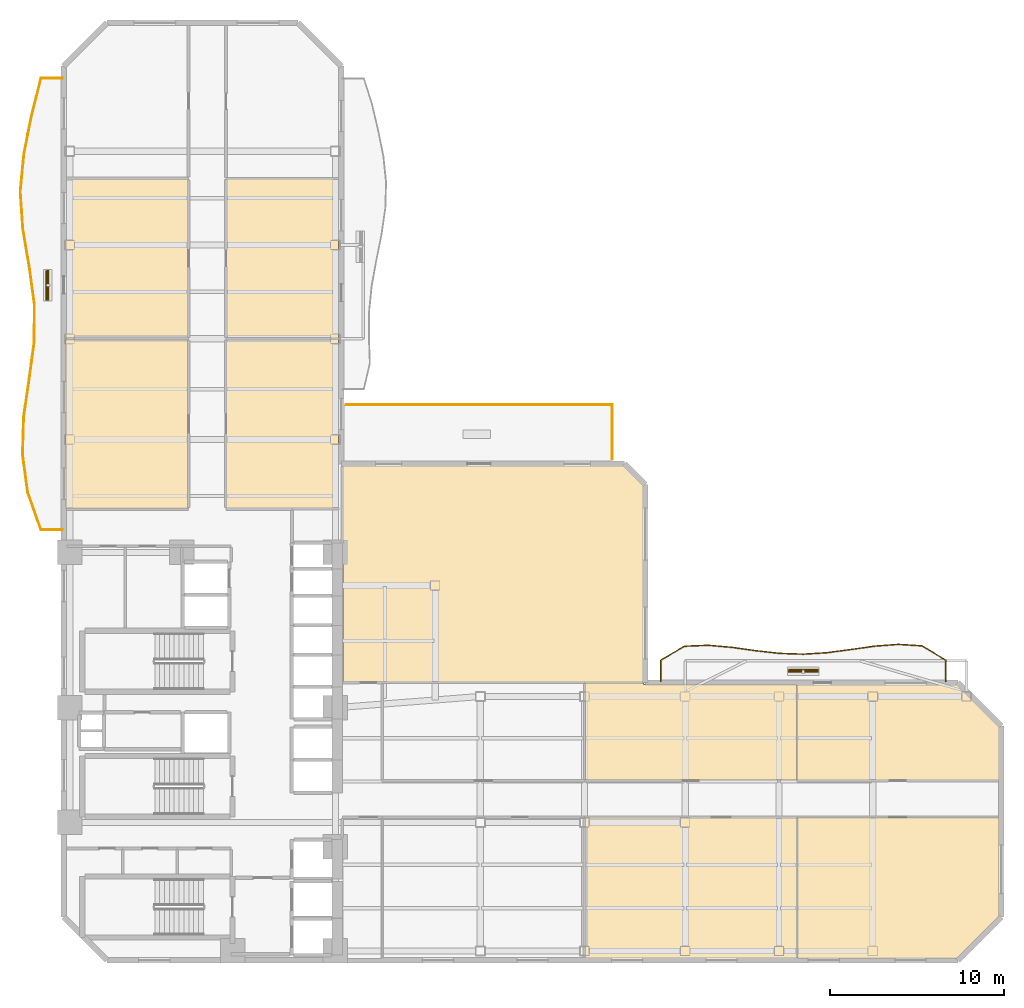
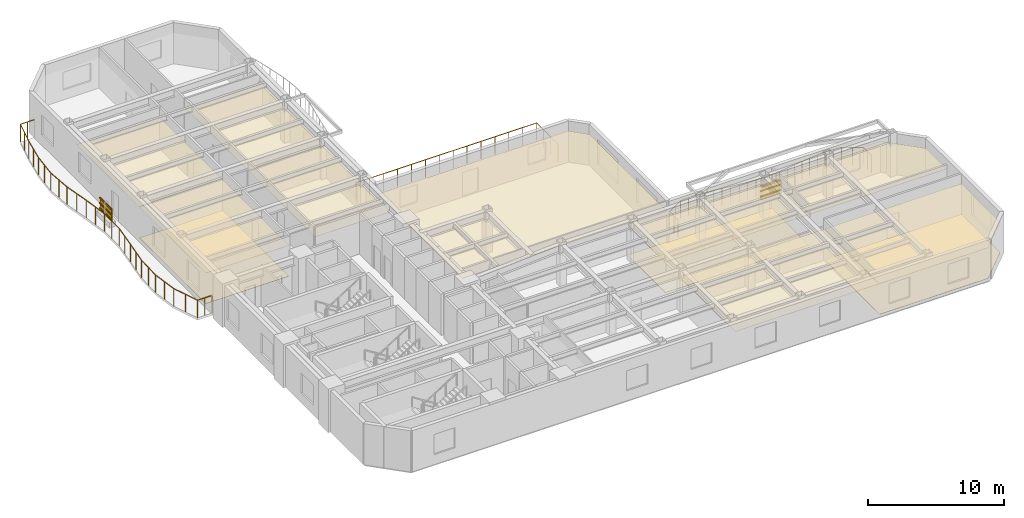
# One storey, part 9 of 10: 12 coverings, 8 shading devices, 4 railings.
"""IFC4 building model written with IfcOpenShell, lengths in metres."""

import ifcopenshell
import ifcopenshell.guid

model = None  # the IFC model being written
_history = None  # IfcOwnerHistory: only IFC2X3 demands one
_inside = {}  # id of a spatial element -> (the spatial element, [elements in it])
_under = {}  # id of a project, library or spatial element -> (it, [spatial elements below it])
_declared = {}  # id of a project -> (the project, [libraries it declares])
_typed = {}  # id of a type object -> (the type object, [elements of that type])
_made_of = {}  # id of a material, layer set ... -> (it, [elements and type objects made of it])


def new_model(schema):
    """Start an empty IFC model of exactly this schema.

    Asked for "IFC4X3", IfcOpenShell would pick the latest addendum, in which some entities
    have other attributes; the version numbers below select the first issue.
    IFC2X3 requires an IfcOwnerHistory on every rooted entity: one is made here for all.
    """
    global model, _history
    if schema == "IFC4X3":
        model = ifcopenshell.file(schema_version=(4, 3, 0, 0))
    else:
        model = ifcopenshell.file(schema=schema)
    _inside.clear()
    _under.clear()
    _declared.clear()
    _typed.clear()
    _made_of.clear()
    _history = None
    if model.schema == "IFC2X3":
        org = make("IfcOrganization", Name="unknown")
        user = make(
            "IfcPersonAndOrganization",
            ThePerson=make("IfcPerson", FamilyName="unknown"),
            TheOrganization=org,
        )
        app = make(
            "IfcApplication",
            ApplicationDeveloper=org,
            Version="unknown",
            ApplicationFullName="unknown",
            ApplicationIdentifier="unknown",
        )
        _history = make(
            "IfcOwnerHistory",
            OwningUser=user,
            OwningApplication=app,
            ChangeAction="ADDED",
            CreationDate=0,
        )
    return model


def make(cls, **values):
    """One entity of the class cls with the attributes given. An attribute that is None is left unset."""
    return model.create_entity(
        cls, **{name: value for name, value in values.items() if value is not None}
    )


def rooted(cls, **values):
    """An entity with a GlobalId (a new one), such as an element, a storey or a relation."""
    return make(cls, GlobalId=ifcopenshell.guid.new(), OwnerHistory=_history, **values)


def si_unit(unit_type, name, prefix=None):
    """IfcSIUnit, for example si_unit("LENGTHUNIT", "METRE", prefix="MILLI")."""
    return make("IfcSIUnit", UnitType=unit_type, Prefix=prefix, Name=name)


def assignment(units):
    """IfcUnitAssignment: the units of a project."""
    return None if units is None else make("IfcUnitAssignment", Units=units)


def point(xyz):
    """IfcCartesianPoint."""
    return None if xyz is None else make("IfcCartesianPoint", Coordinates=xyz)


def direction(xyz):
    """IfcDirection."""
    return None if xyz is None else make("IfcDirection", DirectionRatios=xyz)


def frame(location, z_axis=None, x_axis=None):
    """IfcAxis2Placement3D, a coordinate frame: its origin and axes. An axis left out is left unset."""
    return make(
        "IfcAxis2Placement3D",
        Location=point(location),
        Axis=direction(z_axis),
        RefDirection=direction(x_axis),
    )


def frame_2d(location, x_axis=None):
    """IfcAxis2Placement2D, a coordinate frame in the plane: its origin and x axis."""
    return make(
        "IfcAxis2Placement2D", Location=point(location), RefDirection=direction(x_axis)
    )


def origin():
    """The frame at (0, 0, 0) with its axes left unset."""
    return frame((0.0, 0.0, 0.0))


def origin_2d():
    """The frame at (0, 0) in the plane with its x axis left unset."""
    return frame_2d((0.0, 0.0))


def place(relative_to, where):
    """IfcLocalPlacement: puts the frame where relative to a parent placement (None: the world)."""
    return make(
        "IfcLocalPlacement", PlacementRelTo=relative_to, RelativePlacement=where
    )


def context(
    kind, dimensions, precision=None, world=None, true_north=None, identifier=None
):
    """IfcGeometricRepresentationContext, for example the 3D "Model" context."""
    return make(
        "IfcGeometricRepresentationContext",
        ContextIdentifier=identifier,
        ContextType=kind,
        CoordinateSpaceDimension=dimensions,
        Precision=precision,
        WorldCoordinateSystem=world,
        TrueNorth=true_north,
    )


def subcontext(parent, identifier, kind, view, scale=None):
    """IfcGeometricRepresentationSubContext, for example "Body" below "Model"."""
    return make(
        "IfcGeometricRepresentationSubContext",
        ContextIdentifier=identifier,
        ContextType=kind,
        ParentContext=parent,
        TargetScale=scale,
        TargetView=view,
    )


def project(units=None, contexts=None):
    """IfcProject with its units and contexts."""
    return rooted(
        "IfcProject",
        Name="project",
        RepresentationContexts=contexts,
        UnitsInContext=assignment(units),
    )


def spatial(cls, under=None, at=None, **own):
    """A site, building, storey or space (cls), placed at a placement, below another one or the project."""
    s = rooted(cls, ObjectPlacement=at, **own)
    if under is not None:
        _under.setdefault(under.id(), (under, []))[1].append(s)
    return s


def polyline(points):
    """IfcPolyline through the points."""
    return make("IfcPolyline", Points=[point(p) for p in points])


def profile(cls, at=None, kind="AREA", **sizes):
    """A parametric profile (cls). Its sizes go by their IFC names, for example OverallWidth=200.0."""
    return make(cls, ProfileType=kind, Position=at, **sizes)


def rectangle(**sizes):
    """IfcRectangleProfileDef."""
    return profile("IfcRectangleProfileDef", **sizes)


def outline(outer, holes=None, kind="AREA"):
    """IfcArbitraryClosedProfileDef: a profile drawn as a closed curve; with holes, ...WithVoids."""
    if holes is None:
        return make("IfcArbitraryClosedProfileDef", ProfileType=kind, OuterCurve=outer)
    return make(
        "IfcArbitraryProfileDefWithVoids",
        ProfileType=kind,
        OuterCurve=outer,
        InnerCurves=holes,
    )


def extrude(swept, where, along, depth):
    """IfcExtrudedAreaSolid: the profile swept, set in the frame where, extruded along a direction by depth."""
    return make(
        "IfcExtrudedAreaSolid",
        SweptArea=swept,
        Position=where,
        ExtrudedDirection=direction(along),
        Depth=depth,
    )


def shape(context_of_items, identifier, shape_type, items):
    """IfcShapeRepresentation: the items that make up one representation, for example the "Body"."""
    return make(
        "IfcShapeRepresentation",
        ContextOfItems=context_of_items,
        RepresentationIdentifier=identifier,
        RepresentationType=shape_type,
        Items=items,
    )


def material(Name=None, Category=None):
    """IfcMaterial."""
    return make("IfcMaterial", Name=Name, Category=Category)


def layer(
    of_material, thickness, ventilated=None, Name=None, Category=None, Priority=None
):
    """IfcMaterialLayer: one layer of a wall or slab, of a material (None: an air gap)."""
    return make(
        "IfcMaterialLayer",
        Material=of_material,
        LayerThickness=thickness,
        IsVentilated=ventilated,
        Name=Name,
        Category=Category,
        Priority=Priority,
    )


def layer_set(layers, Name=None):
    """IfcMaterialLayerSet."""
    return make("IfcMaterialLayerSet", MaterialLayers=layers, LayerSetName=Name)


def material_profile(
    of_material, cross_section, Name=None, Category=None, Priority=None
):
    """IfcMaterialProfile: a cross section and its material."""
    return make(
        "IfcMaterialProfile",
        Name=Name,
        Material=of_material,
        Profile=cross_section,
        Priority=Priority,
        Category=Category,
    )


def profile_set(profiles, Name=None, composite=None):
    """IfcMaterialProfileSet."""
    return make(
        "IfcMaterialProfileSet",
        Name=Name,
        MaterialProfiles=profiles,
        CompositeProfile=composite,
    )


def made_of(thing, what):
    """Note that an element or type object is made of a material, layer set ...; save() writes the relation."""
    if what is not None:
        _made_of.setdefault(what.id(), (what, []))[1].append(thing)
    return thing


def type_object(cls, material=None, **own):
    """A type object (cls), such as IfcWallType, which elements share."""
    return made_of(rooted(cls, **own), material)


def element(
    cls,
    number,
    at=None,
    inside=None,
    cuts=None,
    type_object=None,
    material=None,
    context=None,
    identifier="Body",
    shape_type=None,
    held_by="IfcProductDefinitionShape",
    body=None,
    shapes=None,
    **own,
):
    """One element of the class cls, such as IfcWall. Its Tag is "e" and its number.

    at: its placement. inside: the storey or other place that contains it. cuts: it is an
    opening in that element (IfcRelVoidsElement). A single representation is given by context,
    identifier, shape_type and body (its items); several are given by shapes. held_by: the class
    of the entity that holds the representations. save() writes the other relations.
    """
    e = rooted(cls, Tag="e%d" % number, ObjectPlacement=at, **own)
    if body is not None:
        shapes = [shape(context, identifier, shape_type, body)]
    if shapes is not None:
        e.Representation = make(held_by, Representations=shapes)
    if inside is not None:
        _inside.setdefault(inside.id(), (inside, []))[1].append(e)
    if cuts is not None:
        rooted(
            "IfcRelVoidsElement", RelatingBuildingElement=cuts, RelatedOpeningElement=e
        )
    if type_object is not None:
        _typed.setdefault(type_object.id(), (type_object, []))[1].append(e)
    return made_of(e, material)


def aggregate(whole, parts):
    """IfcRelAggregates: a whole, such as a stair, and the parts it consists of."""
    return rooted("IfcRelAggregates", RelatingObject=whole, RelatedObjects=parts)


def save(model, path):
    """Write the relations noted so far, then the file.

    IfcRelAggregates (storeys below a building ...), IfcRelContainedInSpatialStructure (elements
    in a storey), IfcRelDefinesByType, IfcRelAssociatesMaterial and IfcRelDeclares: one each for
    every whole, place, type object, material and project.
    """
    for whole, parts in _under.values():
        aggregate(whole, parts)
    for where, things in _inside.values():
        rooted(
            "IfcRelContainedInSpatialStructure",
            RelatedElements=things,
            RelatingStructure=where,
        )
    for kind, things in _typed.values():
        rooted("IfcRelDefinesByType", RelatedObjects=things, RelatingType=kind)
    for what, things in _made_of.values():
        rooted("IfcRelAssociatesMaterial", RelatedObjects=things, RelatingMaterial=what)
    for by, libraries in _declared.values():
        rooted("IfcRelDeclares", RelatingContext=by, RelatedDefinitions=libraries)
    model.write(path)


model = new_model("IFC4")

# Units and contexts
model_context = context("Model", 3, precision=1e-05, world=origin(), true_north=direction((0.0, 1.0)))
body_context = subcontext(model_context, "Body", "Model", "MODEL_VIEW")
ifc_project = project(units=[si_unit("LENGTHUNIT", "METRE"), si_unit("AREAUNIT", "SQUARE_METRE"), si_unit("VOLUMEUNIT", "CUBIC_METRE"), si_unit("PLANEANGLEUNIT", "RADIAN"), si_unit("MASSUNIT", "GRAM", prefix="KILO")], contexts=[model_context])

# Site, building, storey
site_placement = place(None, origin())
site = spatial("IfcSite", under=ifc_project, at=site_placement, CompositionType="ELEMENT")
building_placement = place(site_placement, origin())
building = spatial("IfcBuilding", under=site, at=building_placement, Name="Mawjaban Terraces University", CompositionType="ELEMENT")
storey_placement = place(building_placement, frame((0.0, 0.0, 31.0)))
storey = spatial("IfcBuildingStorey", under=building, at=storey_placement, Name="L06", CompositionType="ELEMENT", Elevation=31.0)

# Coverings
ifc_material_1 = material(Name="Acoustic mineral fibre ceiling tile", Category="masonry")
ifc_layer_1 = layer(ifc_material_1, 0.02001953125)
ifc_layer_set_1 = layer_set([ifc_layer_1], Name="Acoustic mineral fibre ceiling tile")
covering_type_1 = type_object("IfcCoveringType", Name="AcousticMineralCeiling_20", PredefinedType="CEILING", material=ifc_layer_set_1)
covering_1_placement = place(storey_placement, frame((0.0, 0.0, 2.75)))
element("IfcCovering", 1, at=covering_1_placement, inside=storey, type_object=covering_type_1, Name="L06 Teaching Laboratory 4 Acoustic Ceiling", PredefinedType="CEILING", context=body_context, shape_type="SweptSolid", body=[
    extrude(outline(polyline([(52.030029296875, 0.114990234375), (64.2060546875, 0.114990234375), (64.2060546875, 8.219970703125), (52.030029296875, 8.219970703125), (52.030029296875, 0.114990234375)])), origin(), (0.0, 0.0, 1.0), 0.02001953125),
])
covering_2_placement = place(storey_placement, frame((0.0, 0.0, 2.75)))
element("IfcCovering", 2, at=covering_2_placement, inside=storey, type_object=covering_type_1, Name="L06 Seminar Room 5 Acoustic Ceiling", PredefinedType="CEILING", context=body_context, shape_type="SweptSolid", body=[
    extrude(outline(polyline([(64.2060546875, 15.885009765625), (55.385009765625, 15.885009765625), (55.385009765625, 15.969970703125), (52.030029296875, 15.969970703125), (52.030029296875, 10.3798828125), (64.2060546875, 10.3798828125), (64.2060546875, 15.885009765625)])), origin(), (0.0, 0.0, 1.0), 0.02001953125),
])
covering_3_placement = place(storey_placement, frame((0.0, 0.0, 2.75)))
element("IfcCovering", 3, at=covering_3_placement, inside=storey, type_object=covering_type_1, Name="L06 Classroom 6 Acoustic Ceiling", PredefinedType="CEILING", context=body_context, shape_type="SweptSolid", body=[
    extrude(outline(polyline([(64.26611328125, 0.114990234375), (73.452880859375, 0.114990234375), (75.885009765625, 2.547119140625), (75.885009765625, 8.219970703125), (64.26611328125, 8.219970703125), (64.26611328125, 0.114990234375)])), origin(), (0.0, 0.0, 1.0), 0.02001953125),
])
covering_4_placement = place(storey_placement, frame((0.0, 0.0, 2.75)))
element("IfcCovering", 4, at=covering_4_placement, inside=storey, type_object=covering_type_1, Name="L06 Faculty Office 7 Acoustic Ceiling", PredefinedType="CEILING", context=body_context, shape_type="SweptSolid", body=[
    extrude(outline(polyline([(75.885009765625, 10.3798828125), (75.885009765625, 13.452880859375), (73.452880859375, 15.885009765625), (64.26611328125, 15.885009765625), (64.26611328125, 10.3798828125), (75.885009765625, 10.3798828125)])), origin(), (0.0, 0.0, 1.0), 0.02001953125),
])
covering_5_placement = place(storey_placement, frame((0.0, 0.0, 2.75)))
element("IfcCovering", 5, at=covering_5_placement, inside=storey, type_object=covering_type_1, Name="L06 Classroom 8 Acoustic Ceiling", PredefinedType="CEILING", context=body_context, shape_type="SweptSolid", body=[
    extrude(outline(polyline([(22.114990234375, 35.77001953125), (22.114990234375, 26.030029296875), (29.169921875, 26.030029296875), (29.169921875, 35.77001953125), (22.114990234375, 35.77001953125)])), origin(), (0.0, 0.0, 1.0), 0.02001953125),
])
covering_6_placement = place(storey_placement, frame((0.0, 0.0, 2.75)))
element("IfcCovering", 6, at=covering_6_placement, inside=storey, type_object=covering_type_1, Name="L06 Computational Laboratory 9 Acoustic Ceiling", PredefinedType="CEILING", context=body_context, shape_type="SweptSolid", body=[
    extrude(outline(polyline([(37.820068359375, 26.030029296875), (37.820068359375, 35.77001953125), (31.3798828125, 35.77001953125), (31.3798828125, 26.030029296875), (37.820068359375, 26.030029296875)])), origin(), (0.0, 0.0, 1.0), 0.02001953125),
])
covering_7_placement = place(storey_placement, frame((0.0, 0.0, 2.75)))
element("IfcCovering", 7, at=covering_7_placement, inside=storey, type_object=covering_type_1, Name="L06 Design Studio 10 Acoustic Ceiling", PredefinedType="CEILING", context=body_context, shape_type="SweptSolid", body=[
    extrude(outline(polyline([(22.114990234375, 45.010009765625), (22.114990234375, 35.830078125), (29.169921875, 35.830078125), (29.169921875, 45.010009765625), (22.114990234375, 45.010009765625)])), origin(), (0.0, 0.0, 1.0), 0.02001953125),
])
covering_8_placement = place(storey_placement, frame((0.0, 0.0, 2.75)))
element("IfcCovering", 8, at=covering_8_placement, inside=storey, type_object=covering_type_1, Name="L06 Faculty Office 11 Acoustic Ceiling", PredefinedType="CEILING", context=body_context, shape_type="SweptSolid", body=[
    extrude(outline(polyline([(37.820068359375, 35.830078125), (37.820068359375, 45.010009765625), (31.3798828125, 45.010009765625), (31.3798828125, 35.830078125), (37.820068359375, 35.830078125)])), origin(), (0.0, 0.0, 1.0), 0.02001953125),
])
covering_9_placement = place(storey_placement, frame((0.0, 0.0, 2.75)))
element("IfcCovering", 9, at=covering_9_placement, inside=storey, type_object=covering_type_1, Name="L06 Terrace Collaborative Study Room Acoustic Ceiling", PredefinedType="CEILING", context=body_context, shape_type="SweptSolid", body=[
    extrude(outline(polyline([(55.385009765625, 16.030029296875), (55.385009765625, 27.35302734375), (54.2529296875, 28.485107421875), (38.080078125, 28.485107421875), (38.080078125, 16.030029296875), (55.385009765625, 16.030029296875)])), origin(), (0.0, 0.0, 1.0), 0.02001953125),
])

# Railings
ifc_material_2 = material(Name="Galvanised powder-coated steel S355", Category="steel")
railing_type = type_object("IfcRailingType", Name="BalconyBalustrade_1600", PredefinedType="BALUSTRADE", material=ifc_material_2)
railing_1_placement = place(storey_placement, frame((21.919921875, 24.800048828125, 0.0)))
element("IfcRailing", 10, at=railing_1_placement, inside=storey, type_object=railing_type, Name="L06 Balcony Guardrail west", PredefinedType="BALUSTRADE", context=body_context, shape_type="SweptSolid", body=[
    extrude(rectangle(XDim=0.048095703125, YDim=0.048095703125, at=origin_2d()), frame((0.0, 0.0, 1.576171875), z_axis=(-1.0, 0.0, 0.0), x_axis=(0.0, -1.0, 0.0)), (0.0, 0.0, 1.0), 1.219970703125),
    extrude(rectangle(XDim=0.048095703125, YDim=0.048095703125, at=origin_2d()), frame((-1.219970703125, 0.0, 1.576171875), z_axis=(-0.332091827978, 0.943247060844, 0.0), x_axis=(-0.943247060844, -0.332091827978, 0.0)), (0.0, 0.0, 1.0), 2.29736328125),
    extrude(rectangle(XDim=0.048095703125, YDim=0.048095703125, at=origin_2d()), frame((-1.98291015625, 2.1669921875, 1.576171875), z_axis=(-0.134036483036, 0.99097639791, 0.0), x_axis=(-0.99097639791, -0.134036483036, 0.0)), (0.0, 0.0, 1.0), 2.185791015625),
    extrude(rectangle(XDim=0.048095703125, YDim=0.048095703125, at=origin_2d()), frame((-2.27587890625, 4.3330078125, 1.576171875), z_axis=(0.027704548694, 0.999616155322, 0.0), x_axis=(-0.999616155322, 0.027704548694, 0.0)), (0.0, 0.0, 1.0), 2.167724609375),
    extrude(rectangle(XDim=0.048095703125, YDim=0.048095703125, at=origin_2d()), frame((-2.2158203125, 6.5, 1.576171875), z_axis=(0.145134557046, 0.989411926526, 0.0), x_axis=(-0.989411926526, 0.145134557046, 0.0)), (0.0, 0.0, 1.0), 2.190185546875),
    extrude(rectangle(XDim=0.048095703125, YDim=0.048095703125, at=origin_2d()), frame((-1.89794921875, 8.6669921875, 1.576171875), z_axis=(0.134036483036, 0.99097639791, 0.0), x_axis=(-0.99097639791, 0.134036483036, 0.0)), (0.0, 0.0, 1.0), 2.185791015625),
    extrude(rectangle(XDim=0.048095703125, YDim=0.048095703125, at=origin_2d()), frame((-1.60498046875, 10.8330078125, 1.576171875), z_axis=(0.004168508172, 0.999991311732, 0.0), x_axis=(-0.999991311732, 0.004168508172, 0.0)), (0.0, 0.0, 1.0), 2.1669921875),
    extrude(rectangle(XDim=0.048095703125, YDim=0.048095703125, at=origin_2d()), frame((-1.595947265625, 13.0, 1.576171875), z_axis=(-0.135730828376, 0.990745750548, 0.0), x_axis=(-0.990745750548, -0.135730828376, 0.0)), (0.0, 0.0, 1.0), 2.187255859375),
    extrude(rectangle(XDim=0.048095703125, YDim=0.048095703125, at=origin_2d()), frame((-1.892822265625, 15.1669921875, 1.576171875), z_axis=(-0.16843338227, 0.985713039245, 0.0), x_axis=(-0.985713039245, -0.16843338227, 0.0)), (0.0, 0.0, 1.0), 2.197509765625),
    extrude(rectangle(XDim=0.048095703125, YDim=0.048095703125, at=origin_2d()), frame((-2.262939453125, 17.3330078125, 1.576171875), z_axis=(-0.066325018288, 0.997798071731, 0.0), x_axis=(-0.997798071731, -0.066325018288, 0.0)), (0.0, 0.0, 1.0), 2.171875),
    extrude(rectangle(XDim=0.048095703125, YDim=0.048095703125, at=origin_2d()), frame((-2.406982421875, 19.5, 1.576171875), z_axis=(0.09643887579, 0.995338908732, 0.0), x_axis=(-0.995338908732, 0.09643887579, 0.0)), (0.0, 0.0, 1.0), 2.17724609375),
    extrude(rectangle(XDim=0.048095703125, YDim=0.048095703125, at=origin_2d()), frame((-2.197021484375, 21.6669921875, 1.576171875), z_axis=(0.195223187097, 0.98075884254, 0.0), x_axis=(-0.98075884254, 0.195223187097, 0.0)), (0.0, 0.0, 1.0), 2.20849609375),
    extrude(rectangle(XDim=0.048095703125, YDim=0.048095703125, at=origin_2d()), frame((-1.765869140625, 23.8330078125, 1.576171875), z_axis=(0.24428323301, 0.969703924953, 0.0), x_axis=(-0.969703924953, 0.24428323301, 0.0)), (0.0, 0.0, 1.0), 2.234619140625),
    extrude(rectangle(XDim=0.048095703125, YDim=0.048095703125, at=origin_2d()), frame((-1.219970703125, 26.0, 1.576171875), z_axis=(1.0, 0.0, 0.0), x_axis=(0.0, 1.0, 0.0)), (0.0, 0.0, 1.0), 1.219970703125),
    extrude(rectangle(XDim=0.0419921875, YDim=0.0419921875, at=origin_2d()), origin(), (0.0, 0.0, 1.0), 1.552001953125),
    extrude(rectangle(XDim=0.0419921875, YDim=0.0419921875, at=origin_2d()), frame((-0.60986328125, 0.0, 0.0)), (0.0, 0.0, 1.0), 1.552001953125),
    extrude(rectangle(XDim=0.0419921875, YDim=0.0419921875, at=origin_2d()), frame((-1.219970703125, 0.0, 0.0)), (0.0, 0.0, 1.0), 1.552001953125),
    extrude(rectangle(XDim=0.0419921875, YDim=0.0419921875, at=origin_2d()), frame((-1.6015625, 1.08349609375, 0.0)), (0.0, 0.0, 1.0), 1.552001953125),
    extrude(rectangle(XDim=0.0419921875, YDim=0.0419921875, at=origin_2d()), frame((-1.98291015625, 2.1669921875, 0.0)), (0.0, 0.0, 1.0), 1.552001953125),
    extrude(rectangle(XDim=0.0419921875, YDim=0.0419921875, at=origin_2d()), frame((-2.12939453125, 3.25, 0.0)), (0.0, 0.0, 1.0), 1.552001953125),
    extrude(rectangle(XDim=0.0419921875, YDim=0.0419921875, at=origin_2d()), frame((-2.27587890625, 4.3330078125, 0.0)), (0.0, 0.0, 1.0), 1.552001953125),
    extrude(rectangle(XDim=0.0419921875, YDim=0.0419921875, at=origin_2d()), frame((-2.245849609375, 5.41650390625, 0.0)), (0.0, 0.0, 1.0), 1.552001953125),
    extrude(rectangle(XDim=0.0419921875, YDim=0.0419921875, at=origin_2d()), frame((-2.2158203125, 6.5, 0.0)), (0.0, 0.0, 1.0), 1.552001953125),
    extrude(rectangle(XDim=0.0419921875, YDim=0.0419921875, at=origin_2d()), frame((-2.056884765625, 7.58349609375, 0.0)), (0.0, 0.0, 1.0), 1.552001953125),
    extrude(rectangle(XDim=0.0419921875, YDim=0.0419921875, at=origin_2d()), frame((-1.89794921875, 8.6669921875, 0.0)), (0.0, 0.0, 1.0), 1.552001953125),
    extrude(rectangle(XDim=0.0419921875, YDim=0.0419921875, at=origin_2d()), frame((-1.75146484375, 9.75, 0.0)), (0.0, 0.0, 1.0), 1.552001953125),
    extrude(rectangle(XDim=0.0419921875, YDim=0.0419921875, at=origin_2d()), frame((-1.60498046875, 10.8330078125, 0.0)), (0.0, 0.0, 1.0), 1.552001953125),
    extrude(rectangle(XDim=0.0419921875, YDim=0.0419921875, at=origin_2d()), frame((-1.6005859375, 11.91650390625, 0.0)), (0.0, 0.0, 1.0), 1.552001953125),
    extrude(rectangle(XDim=0.0419921875, YDim=0.0419921875, at=origin_2d()), frame((-1.595947265625, 13.0, 0.0)), (0.0, 0.0, 1.0), 1.552001953125),
    extrude(rectangle(XDim=0.0419921875, YDim=0.0419921875, at=origin_2d()), frame((-1.744384765625, 14.08349609375, 0.0)), (0.0, 0.0, 1.0), 1.552001953125),
    extrude(rectangle(XDim=0.0419921875, YDim=0.0419921875, at=origin_2d()), frame((-1.892822265625, 15.1669921875, 0.0)), (0.0, 0.0, 1.0), 1.552001953125),
    extrude(rectangle(XDim=0.0419921875, YDim=0.0419921875, at=origin_2d()), frame((-2.077880859375, 16.25, 0.0)), (0.0, 0.0, 1.0), 1.552001953125),
    extrude(rectangle(XDim=0.0419921875, YDim=0.0419921875, at=origin_2d()), frame((-2.262939453125, 17.3330078125, 0.0)), (0.0, 0.0, 1.0), 1.552001953125),
    extrude(rectangle(XDim=0.0419921875, YDim=0.0419921875, at=origin_2d()), frame((-2.3349609375, 18.41650390625, 0.0)), (0.0, 0.0, 1.0), 1.552001953125),
    extrude(rectangle(XDim=0.0419921875, YDim=0.0419921875, at=origin_2d()), frame((-2.406982421875, 19.5, 0.0)), (0.0, 0.0, 1.0), 1.552001953125),
    extrude(rectangle(XDim=0.0419921875, YDim=0.0419921875, at=origin_2d()), frame((-2.302001953125, 20.58349609375, 0.0)), (0.0, 0.0, 1.0), 1.552001953125),
    extrude(rectangle(XDim=0.0419921875, YDim=0.0419921875, at=origin_2d()), frame((-2.197021484375, 21.6669921875, 0.0)), (0.0, 0.0, 1.0), 1.552001953125),
    extrude(rectangle(XDim=0.0419921875, YDim=0.0419921875, at=origin_2d()), frame((-1.9814453125, 22.75, 0.0)), (0.0, 0.0, 1.0), 1.552001953125),
    extrude(rectangle(XDim=0.0419921875, YDim=0.0419921875, at=origin_2d()), frame((-1.765869140625, 23.8330078125, 0.0)), (0.0, 0.0, 1.0), 1.552001953125),
    extrude(rectangle(XDim=0.0419921875, YDim=0.0419921875, at=origin_2d()), frame((-1.492919921875, 24.91650390625, 0.0)), (0.0, 0.0, 1.0), 1.552001953125),
    extrude(rectangle(XDim=0.0419921875, YDim=0.0419921875, at=origin_2d()), frame((-1.219970703125, 26.0, 0.0)), (0.0, 0.0, 1.0), 1.552001953125),
    extrude(rectangle(XDim=0.0419921875, YDim=0.0419921875, at=origin_2d()), frame((-0.60986328125, 26.0, 0.0)), (0.0, 0.0, 1.0), 1.552001953125),
    extrude(rectangle(XDim=0.0419921875, YDim=0.0419921875, at=origin_2d()), frame((0.0, 26.0, 0.0)), (0.0, 0.0, 1.0), 1.552001953125),
])
railing_2_placement = place(storey_placement, frame((56.39990234375, 16.080078125, 0.0)))
element("IfcRailing", 11, at=railing_2_placement, inside=storey, type_object=railing_type, Name="L06 Balcony Guardrail inner_north", PredefinedType="BALUSTRADE", context=body_context, shape_type="SweptSolid", body=[
    extrude(rectangle(XDim=0.048095703125, YDim=0.048095703125, at=origin_2d()), frame((0.0, 0.0, 1.576171875), z_axis=(0.0, 1.0, 0.0), x_axis=(-1.0, 0.0, 0.0)), (0.0, 0.0, 1.0), 1.219970703125),
    extrude(rectangle(XDim=0.048095703125, YDim=0.048095703125, at=origin_2d()), frame((0.0, 1.219970703125, 1.576171875), z_axis=(0.86395790499, 0.503564036052, 0.0), x_axis=(-0.503564036052, 0.86395790499, 0.0)), (0.0, 0.0, 1.0), 1.58251953125),
    extrude(rectangle(XDim=0.048095703125, YDim=0.048095703125, at=origin_2d()), frame((1.3671875, 2.016845703125, 1.576171875), z_axis=(0.999185191318, 0.040360295485, 0.0), x_axis=(-0.040360295485, 0.999185191318, 0.0)), (0.0, 0.0, 1.0), 1.3671875),
    extrude(rectangle(XDim=0.048095703125, YDim=0.048095703125, at=origin_2d()), frame((2.733154296875, 2.072021484375, 1.576171875), z_axis=(0.996036298235, -0.08894769586, 0.0), x_axis=(0.08894769586, 0.996036298235, 0.0)), (0.0, 0.0, 1.0), 1.372314453125),
    extrude(rectangle(XDim=0.048095703125, YDim=0.048095703125, at=origin_2d()), frame((4.10009765625, 1.949951171875, 1.576171875), z_axis=(0.990483566624, -0.137631043907, 0.0), x_axis=(0.137631043907, 0.990483566624, 0.0)), (0.0, 0.0, 1.0), 1.380126953125),
    extrude(rectangle(XDim=0.048095703125, YDim=0.048095703125, at=origin_2d()), frame((5.467041015625, 1.760009765625, 1.576171875), z_axis=(0.993621093247, -0.112770222379, 0.0), x_axis=(0.112770222379, 0.993621093247, 0.0)), (0.0, 0.0, 1.0), 1.374755859375),
    extrude(rectangle(XDim=0.048095703125, YDim=0.048095703125, at=origin_2d()), frame((6.8330078125, 1.60498046875, 1.576171875), z_axis=(0.999430954837, -0.033730794726, 0.0), x_axis=(0.033730794726, 0.999430954837, 0.0)), (0.0, 0.0, 1.0), 1.367919921875),
    extrude(rectangle(XDim=0.048095703125, YDim=0.048095703125, at=origin_2d()), frame((8.2001953125, 1.558837890625, 1.576171875), z_axis=(0.998018445058, 0.062922041633, 0.0), x_axis=(-0.062922041633, 0.998018445058, 0.0)), (0.0, 0.0, 1.0), 1.36962890625),
    extrude(rectangle(XDim=0.048095703125, YDim=0.048095703125, at=origin_2d()), frame((9.567138671875, 1.64501953125, 1.576171875), z_axis=(0.991251095089, 0.131989645369, 0.0), x_axis=(-0.131989645369, 0.991251095089, 0.0)), (0.0, 0.0, 1.0), 1.3779296875),
    extrude(rectangle(XDim=0.048095703125, YDim=0.048095703125, at=origin_2d()), frame((10.93310546875, 1.826904296875, 1.576171875), z_axis=(0.990167594089, 0.139886152335, 0.0), x_axis=(-0.139886152335, 0.990167594089, 0.0)), (0.0, 0.0, 1.0), 1.380615234375),
    extrude(rectangle(XDim=0.048095703125, YDim=0.048095703125, at=origin_2d()), frame((12.300048828125, 2.02001953125, 1.576171875), z_axis=(0.997118041803, 0.075865741348, 0.0), x_axis=(-0.075865741348, 0.997118041803, 0.0)), (0.0, 0.0, 1.0), 1.370849609375),
    extrude(rectangle(XDim=0.048095703125, YDim=0.048095703125, at=origin_2d()), frame((13.6669921875, 2.1240234375, 1.576171875), z_axis=(0.998060897334, -0.062245041667, 0.0), x_axis=(0.062245041667, 0.998060897334, 0.0)), (0.0, 0.0, 1.0), 1.368896484375),
    extrude(rectangle(XDim=0.048095703125, YDim=0.048095703125, at=origin_2d()), frame((15.033203125, 2.038818359375, 1.576171875), z_axis=(0.857857725068, -0.513887267347, 0.0), x_axis=(0.513887267347, 0.857857725068, 0.0)), (0.0, 0.0, 1.0), 1.593505859375),
    extrude(rectangle(XDim=0.048095703125, YDim=0.048095703125, at=origin_2d()), frame((16.400146484375, 1.219970703125, 1.576171875), z_axis=(0.0, -1.0, 0.0), x_axis=(1.0, 0.0, 0.0)), (0.0, 0.0, 1.0), 1.219970703125),
    extrude(rectangle(XDim=0.0419921875, YDim=0.0419921875, at=origin_2d()), origin(), (0.0, 0.0, 1.0), 1.552001953125),
    extrude(rectangle(XDim=0.0419921875, YDim=0.0419921875, at=origin_2d()), frame((0.0, 0.60986328125, 0.0)), (0.0, 0.0, 1.0), 1.552001953125),
    extrude(rectangle(XDim=0.0419921875, YDim=0.0419921875, at=origin_2d()), frame((0.0, 1.219970703125, 0.0)), (0.0, 0.0, 1.0), 1.552001953125),
    extrude(rectangle(XDim=0.0419921875, YDim=0.0419921875, at=origin_2d()), frame((0.68359375, 1.618408203125, 0.0)), (0.0, 0.0, 1.0), 1.552001953125),
    extrude(rectangle(XDim=0.0419921875, YDim=0.0419921875, at=origin_2d()), frame((1.3671875, 2.016845703125, 0.0)), (0.0, 0.0, 1.0), 1.552001953125),
    extrude(rectangle(XDim=0.0419921875, YDim=0.0419921875, at=origin_2d()), frame((2.05029296875, 2.04443359375, 0.0)), (0.0, 0.0, 1.0), 1.552001953125),
    extrude(rectangle(XDim=0.0419921875, YDim=0.0419921875, at=origin_2d()), frame((2.733154296875, 2.072021484375, 0.0)), (0.0, 0.0, 1.0), 1.552001953125),
    extrude(rectangle(XDim=0.0419921875, YDim=0.0419921875, at=origin_2d()), frame((3.41650390625, 2.010986328125, 0.0)), (0.0, 0.0, 1.0), 1.552001953125),
    extrude(rectangle(XDim=0.0419921875, YDim=0.0419921875, at=origin_2d()), frame((4.10009765625, 1.949951171875, 0.0)), (0.0, 0.0, 1.0), 1.552001953125),
    extrude(rectangle(XDim=0.0419921875, YDim=0.0419921875, at=origin_2d()), frame((4.78369140625, 1.85498046875, 0.0)), (0.0, 0.0, 1.0), 1.552001953125),
    extrude(rectangle(XDim=0.0419921875, YDim=0.0419921875, at=origin_2d()), frame((5.467041015625, 1.760009765625, 0.0)), (0.0, 0.0, 1.0), 1.552001953125),
    extrude(rectangle(XDim=0.0419921875, YDim=0.0419921875, at=origin_2d()), frame((6.14990234375, 1.6826171875, 0.0)), (0.0, 0.0, 1.0), 1.552001953125),
    extrude(rectangle(XDim=0.0419921875, YDim=0.0419921875, at=origin_2d()), frame((6.8330078125, 1.60498046875, 0.0)), (0.0, 0.0, 1.0), 1.552001953125),
    extrude(rectangle(XDim=0.0419921875, YDim=0.0419921875, at=origin_2d()), frame((7.5166015625, 1.58203125, 0.0)), (0.0, 0.0, 1.0), 1.552001953125),
    extrude(rectangle(XDim=0.0419921875, YDim=0.0419921875, at=origin_2d()), frame((8.2001953125, 1.558837890625, 0.0)), (0.0, 0.0, 1.0), 1.552001953125),
    extrude(rectangle(XDim=0.0419921875, YDim=0.0419921875, at=origin_2d()), frame((8.8837890625, 1.60205078125, 0.0)), (0.0, 0.0, 1.0), 1.552001953125),
    extrude(rectangle(XDim=0.0419921875, YDim=0.0419921875, at=origin_2d()), frame((9.567138671875, 1.64501953125, 0.0)), (0.0, 0.0, 1.0), 1.552001953125),
    extrude(rectangle(XDim=0.0419921875, YDim=0.0419921875, at=origin_2d()), frame((10.25, 1.73583984375, 0.0)), (0.0, 0.0, 1.0), 1.552001953125),
    extrude(rectangle(XDim=0.0419921875, YDim=0.0419921875, at=origin_2d()), frame((10.93310546875, 1.826904296875, 0.0)), (0.0, 0.0, 1.0), 1.552001953125),
    extrude(rectangle(XDim=0.0419921875, YDim=0.0419921875, at=origin_2d()), frame((11.61669921875, 1.92333984375, 0.0)), (0.0, 0.0, 1.0), 1.552001953125),
    extrude(rectangle(XDim=0.0419921875, YDim=0.0419921875, at=origin_2d()), frame((12.300048828125, 2.02001953125, 0.0)), (0.0, 0.0, 1.0), 1.552001953125),
    extrude(rectangle(XDim=0.0419921875, YDim=0.0419921875, at=origin_2d()), frame((12.9833984375, 2.072021484375, 0.0)), (0.0, 0.0, 1.0), 1.552001953125),
    extrude(rectangle(XDim=0.0419921875, YDim=0.0419921875, at=origin_2d()), frame((13.6669921875, 2.1240234375, 0.0)), (0.0, 0.0, 1.0), 1.552001953125),
    extrude(rectangle(XDim=0.0419921875, YDim=0.0419921875, at=origin_2d()), frame((14.35009765625, 2.08154296875, 0.0)), (0.0, 0.0, 1.0), 1.552001953125),
    extrude(rectangle(XDim=0.0419921875, YDim=0.0419921875, at=origin_2d()), frame((15.033203125, 2.038818359375, 0.0)), (0.0, 0.0, 1.0), 1.552001953125),
    extrude(rectangle(XDim=0.0419921875, YDim=0.0419921875, at=origin_2d()), frame((15.716796875, 1.62939453125, 0.0)), (0.0, 0.0, 1.0), 1.552001953125),
    extrude(rectangle(XDim=0.0419921875, YDim=0.0419921875, at=origin_2d()), frame((16.400146484375, 1.219970703125, 0.0)), (0.0, 0.0, 1.0), 1.552001953125),
    extrude(rectangle(XDim=0.0419921875, YDim=0.0419921875, at=origin_2d()), frame((16.400146484375, 0.60986328125, 0.0)), (0.0, 0.0, 1.0), 1.552001953125),
    extrude(rectangle(XDim=0.0419921875, YDim=0.0419921875, at=origin_2d()), frame((16.400146484375, 0.0, 0.0)), (0.0, 0.0, 1.0), 1.552001953125),
])
railing_3_placement = place(storey_placement, frame((53.60009765625, 28.8798828125, 0.0)))
element("IfcRailing", 12, at=railing_3_placement, inside=storey, type_object=railing_type, Name="L06 Terrace Guardrail TER-L06-CLIMB.1", PredefinedType="BALUSTRADE", context=body_context, shape_type="SweptSolid", body=[
    extrude(rectangle(XDim=0.048095703125, YDim=0.048095703125, at=origin_2d()), frame((0.0, 0.0, 1.576171875), z_axis=(0.0, 1.0, 0.0), x_axis=(-1.0, 0.0, 0.0)), (0.0, 0.0, 1.0), 3.1201171875),
    extrude(rectangle(XDim=0.0419921875, YDim=0.0419921875, at=origin_2d()), origin(), (0.0, 0.0, 1.0), 1.552001953125),
    extrude(rectangle(XDim=0.0419921875, YDim=0.0419921875, at=origin_2d()), frame((0.0, 1.0400390625, 0.0)), (0.0, 0.0, 1.0), 1.552001953125),
    extrude(rectangle(XDim=0.0419921875, YDim=0.0419921875, at=origin_2d()), frame((0.0, 2.080078125, 0.0)), (0.0, 0.0, 1.0), 1.552001953125),
    extrude(rectangle(XDim=0.0419921875, YDim=0.0419921875, at=origin_2d()), frame((0.0, 3.1201171875, 0.0)), (0.0, 0.0, 1.0), 1.552001953125),
])
railing_4_placement = place(storey_placement, frame((53.60009765625, 32.0, 0.0)))
element("IfcRailing", 13, at=railing_4_placement, inside=storey, type_object=railing_type, Name="L06 Terrace Guardrail TER-L06-CLIMB.2", PredefinedType="BALUSTRADE", context=body_context, shape_type="SweptSolid", body=[
    extrude(rectangle(XDim=0.048095703125, YDim=0.048095703125, at=origin_2d()), frame((0.0, 0.0, 1.576171875), z_axis=(-1.0, 0.0, 0.0), x_axis=(0.0, -1.0, 0.0)), (0.0, 0.0, 1.0), 15.320068359375),
    extrude(rectangle(XDim=0.0419921875, YDim=0.0419921875, at=origin_2d()), origin(), (0.0, 0.0, 1.0), 1.552001953125),
    extrude(rectangle(XDim=0.0419921875, YDim=0.0419921875, at=origin_2d()), frame((-1.178466796875, 0.0, 0.0)), (0.0, 0.0, 1.0), 1.552001953125),
    extrude(rectangle(XDim=0.0419921875, YDim=0.0419921875, at=origin_2d()), frame((-2.35693359375, 0.0, 0.0)), (0.0, 0.0, 1.0), 1.552001953125),
    extrude(rectangle(XDim=0.0419921875, YDim=0.0419921875, at=origin_2d()), frame((-3.535400390625, 0.0, 0.0)), (0.0, 0.0, 1.0), 1.552001953125),
    extrude(rectangle(XDim=0.0419921875, YDim=0.0419921875, at=origin_2d()), frame((-4.7138671875, 0.0, 0.0)), (0.0, 0.0, 1.0), 1.552001953125),
    extrude(rectangle(XDim=0.0419921875, YDim=0.0419921875, at=origin_2d()), frame((-5.892333984375, 0.0, 0.0)), (0.0, 0.0, 1.0), 1.552001953125),
    extrude(rectangle(XDim=0.0419921875, YDim=0.0419921875, at=origin_2d()), frame((-7.07080078125, 0.0, 0.0)), (0.0, 0.0, 1.0), 1.552001953125),
    extrude(rectangle(XDim=0.0419921875, YDim=0.0419921875, at=origin_2d()), frame((-8.249267578125, 0.0, 0.0)), (0.0, 0.0, 1.0), 1.552001953125),
    extrude(rectangle(XDim=0.0419921875, YDim=0.0419921875, at=origin_2d()), frame((-9.427734375, 0.0, 0.0)), (0.0, 0.0, 1.0), 1.552001953125),
    extrude(rectangle(XDim=0.0419921875, YDim=0.0419921875, at=origin_2d()), frame((-10.606201171875, 0.0, 0.0)), (0.0, 0.0, 1.0), 1.552001953125),
    extrude(rectangle(XDim=0.0419921875, YDim=0.0419921875, at=origin_2d()), frame((-11.78466796875, 0.0, 0.0)), (0.0, 0.0, 1.0), 1.552001953125),
    extrude(rectangle(XDim=0.0419921875, YDim=0.0419921875, at=origin_2d()), frame((-12.963134765625, 0.0, 0.0)), (0.0, 0.0, 1.0), 1.552001953125),
    extrude(rectangle(XDim=0.0419921875, YDim=0.0419921875, at=origin_2d()), frame((-14.1416015625, 0.0, 0.0)), (0.0, 0.0, 1.0), 1.552001953125),
    extrude(rectangle(XDim=0.0419921875, YDim=0.0419921875, at=origin_2d()), frame((-15.320068359375, 0.0, 0.0)), (0.0, 0.0, 1.0), 1.552001953125),
])

# Shading devices
ifc_material_3 = material(Name="Glazed architectural terracotta ceramic", Category="masonry")
ifc_material_profile = material_profile(ifc_material_3, rectangle(XDim=0.06494140625, YDim=0.110107421875, at=origin_2d()), Name="TBAG110X65")
ifc_profile_set = profile_set([ifc_material_profile], Name="Glazed architectural terracotta ceramic")
shading_device_type_1 = type_object("IfcShadingDeviceType", Name="TerracottaBaguette_110x65", PredefinedType="USERDEFINED", material=ifc_profile_set)
for number, where, z_axis, x_axis, name in (
    (14, (21.008056640625, 38.032958984375, 0.679931640625), (0.0, 1.0, 0.0), (-1.0, 0.0, 0.0), "L06 Horizontal Terracotta Baguette west.1"),
    (15, (21.008056640625, 38.032958984375, 1.14990234375), (0.0, 1.0, 0.0), (-1.0, 0.0, 0.0), "L06 Horizontal Terracotta Baguette west.2"),
    (16, (21.008056640625, 38.032958984375, 1.6201171875), (0.0, 1.0, 0.0), (-1.0, 0.0, 0.0), "L06 Horizontal Terracotta Baguette west.3"),
    (17, (63.75, 16.72998046875, 0.679931640625), (1.0, 0.0, 0.0), (0.0, 1.0, 0.0), "L06 Horizontal Terracotta Baguette inner_north.1"),
    (18, (63.75, 16.72998046875, 1.14990234375), (1.0, 0.0, 0.0), (0.0, 1.0, 0.0), "L06 Horizontal Terracotta Baguette inner_north.2"),
    (19, (63.75, 16.72998046875, 1.6201171875), (1.0, 0.0, 0.0), (0.0, 1.0, 0.0), "L06 Horizontal Terracotta Baguette inner_north.3"),
):
    element("IfcShadingDevice", number, at=place(storey_placement, frame(where, z_axis=z_axis, x_axis=x_axis)), inside=storey, type_object=shading_device_type_1, Name=name, ObjectType="BAGUETTE", PredefinedType="USERDEFINED", context=body_context, shape_type="SweptSolid", body=[
        extrude(rectangle(XDim=0.06494140625, YDim=0.110107421875, at=origin_2d()), origin(), (0.0, 0.0, 1.0), 1.699951171875),
    ])
ifc_layer_2 = layer(ifc_material_3, 0.080078125)
ifc_layer_set_2 = layer_set([ifc_layer_2], Name="Glazed architectural terracotta ceramic")
shading_device_type_2 = type_object("IfcShadingDeviceType", Name="TerracottaScreen_Perforated", PredefinedType="USERDEFINED", material=ifc_layer_set_2)
for number, where, z_axis, x_axis, name in (
    (20, (21.093017578125, 38.883056640625, 0.43994140625), (0.0, 0.0, 1.0), (0.0, 1.0, 0.0), "L06 Balcony Perforated Terracotta Screen west"),
    (21, (64.60009765625, 16.64501953125, 0.43994140625), (0.0, 0.0, 1.0), (1.0, 0.0, 0.0), "L06 Balcony Perforated Terracotta Screen inner_north"),
):
    element("IfcShadingDevice", number, at=place(storey_placement, frame(where, z_axis=z_axis, x_axis=x_axis)), inside=storey, type_object=shading_device_type_2, Name=name, ObjectType="SCREEN", PredefinedType="USERDEFINED", context=body_context, shape_type="SweptSolid", body=[
        extrude(rectangle(XDim=1.75, YDim=0.080078125, at=origin_2d()), origin(), (0.0, 0.0, 1.0), 1.14990234375),
    ])

# Coverings
ifc_material_4 = material(Name="Polished Hijazi granite terrazzo flooring", Category="masonry")
ifc_layer_3 = layer(ifc_material_4, 0.02490234375)
ifc_layer_set_3 = layer_set([ifc_layer_3], Name="Polished Hijazi granite terrazzo flooring")
covering_type_2 = type_object("IfcCoveringType", Name="TerrazzoConcourseFlooring_25", PredefinedType="FLOORING", material=ifc_layer_set_3)
covering_10_placement = place(storey_placement, origin())
element("IfcCovering", 22, at=covering_10_placement, inside=storey, type_object=covering_type_2, Name="L06 Seminar Room 5 Terrazzo Flooring", PredefinedType="FLOORING", context=body_context, shape_type="SweptSolid", body=[
    extrude(outline(polyline([(64.2060546875, 15.885009765625), (55.385009765625, 15.885009765625), (55.385009765625, 15.969970703125), (52.030029296875, 15.969970703125), (52.030029296875, 10.3798828125), (64.2060546875, 10.3798828125), (64.2060546875, 15.885009765625)])), origin(), (0.0, 0.0, 1.0), 0.02490234375),
])
covering_11_placement = place(storey_placement, origin())
element("IfcCovering", 23, at=covering_11_placement, inside=storey, type_object=covering_type_2, Name="L06 Classroom 6 Terrazzo Flooring", PredefinedType="FLOORING", context=body_context, shape_type="SweptSolid", body=[
    extrude(outline(polyline([(64.26611328125, 0.114990234375), (73.452880859375, 0.114990234375), (75.885009765625, 2.547119140625), (75.885009765625, 8.219970703125), (64.26611328125, 8.219970703125), (64.26611328125, 0.114990234375)])), origin(), (0.0, 0.0, 1.0), 0.02490234375),
])
covering_12_placement = place(storey_placement, origin())
element("IfcCovering", 24, at=covering_12_placement, inside=storey, type_object=covering_type_2, Name="L06 Classroom 8 Terrazzo Flooring", PredefinedType="FLOORING", context=body_context, shape_type="SweptSolid", body=[
    extrude(outline(polyline([(22.114990234375, 35.77001953125), (22.114990234375, 26.030029296875), (29.169921875, 26.030029296875), (29.169921875, 35.77001953125), (22.114990234375, 35.77001953125)])), origin(), (0.0, 0.0, 1.0), 0.02490234375),
])

save(model, "model.ifc")
